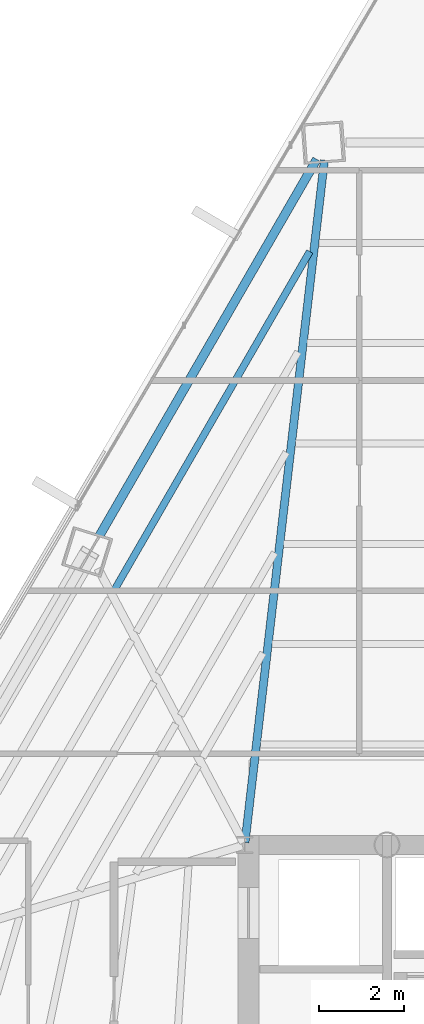
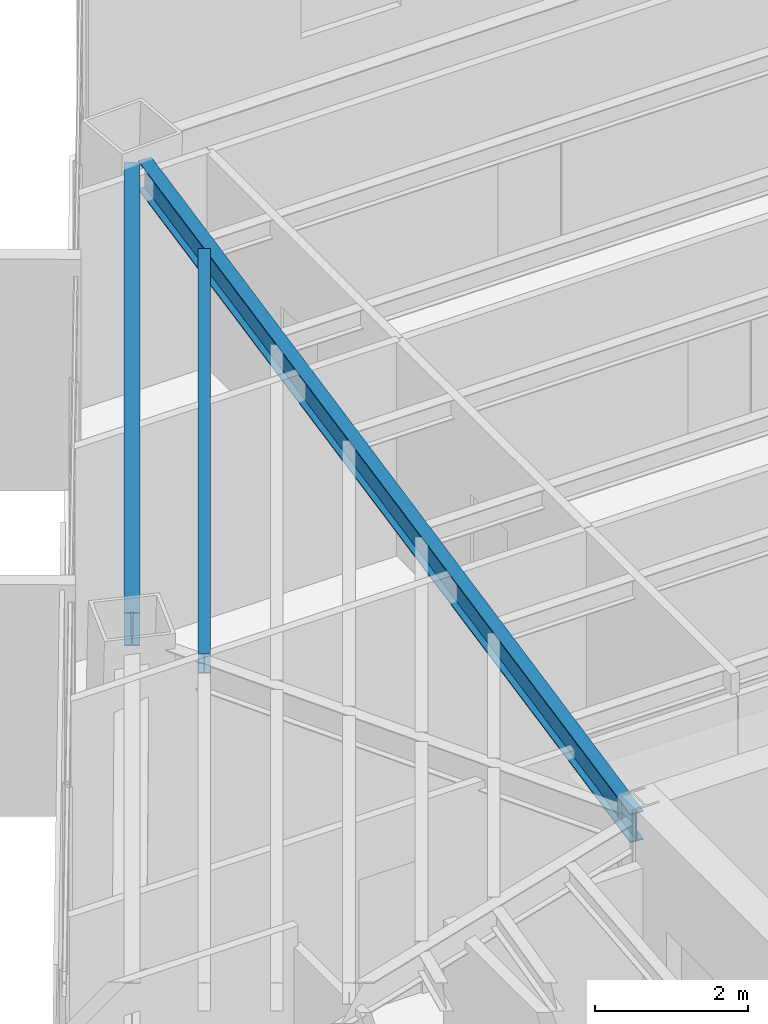
# One storey, part 27 of 41: 3 beams.
"""IFC4 building model written with IfcOpenShell, lengths in metres."""

from ifc_helpers import new_model, si_unit, direction, frame, origin, origin_2d, place, context, subcontext, project, spatial, i_section, extrude, source, transform, mapped, material, material_profile, profile_set, type_object, type_shapes, element, save


model = new_model("IFC4")

# Units and contexts
model_context = context("Model", 3, precision=1e-05, world=origin(), true_north=direction((0.0, 1.0)))
body_context = subcontext(model_context, "Body", "Model", "MODEL_VIEW")
ifc_project = project(units=[si_unit("LENGTHUNIT", "METRE"), si_unit("AREAUNIT", "SQUARE_METRE"), si_unit("VOLUMEUNIT", "CUBIC_METRE"), si_unit("PLANEANGLEUNIT", "RADIAN"), si_unit("MASSUNIT", "GRAM", prefix="KILO")], contexts=[model_context])

# Site, building, storey
site_placement = place(None, origin())
site = spatial("IfcSite", under=ifc_project, at=site_placement, CompositionType="ELEMENT")
building_placement = place(site_placement, origin())
building = spatial("IfcBuilding", under=site, at=building_placement, Name="Caelisora Broadcast Tower", CompositionType="ELEMENT")
storey_placement = place(building_placement, frame((0.0, 0.0, 180.39990234375)))
storey = spatial("IfcBuildingStorey", under=building, at=storey_placement, Name="L47", CompositionType="ELEMENT", Elevation=180.39990234375)

# Beams
ifc_material = material(Name="Steel Grade 350 (AS/NZS 3679.1)", Category="steel")
ifc_material_profile_1 = material_profile(ifc_material, i_section(OverallWidth=0.208984375, OverallDepth=0.532958984375, WebThickness=0.01025390625, FlangeThickness=0.015625, at=origin_2d()), Name="Steel Grade 350 (AS/NZS 3679.1)")
ifc_profile_set_1 = profile_set([ifc_material_profile_1], Name="Steel Grade 350 (AS/NZS 3679.1)")
beam_type_1 = type_object("IfcBeamType", Name="PG05", PredefinedType="BEAM", material=ifc_profile_set_1)
shared_shape_1 = source(origin(), body_context, "Body", "SweptSolid", [
    extrude(i_section(OverallWidth=0.208984375, OverallDepth=0.532958984375, WebThickness=0.01025390625, FlangeThickness=0.015625, at=origin_2d()), origin(), (0.0, 0.0, 1.0), 10.239501953125),
])
type_shapes(beam_type_1, [shared_shape_1])
beam_1_placement = place(storey_placement, frame((32.19580078125, 46.14892578125, 3.133544921875), z_axis=(-0.500008646395, -0.866020411728, 0.0), x_axis=(0.866020411728, -0.500008646395, 0.0)))
element("IfcBeam", 1, at=beam_1_placement, inside=storey, type_object=beam_type_1, Name="L47 beam PG05", PredefinedType="BEAM", context=body_context, shape_type="MappedRepresentation", body=[
    mapped(shared_shape_1, transform((0.0, 0.0, 0.0), scale=1.0)),
])
ifc_material_profile_2 = material_profile(ifc_material, i_section(OverallWidth=0.19091796875, OverallDepth=0.46044921875, WebThickness=0.010009765625, FlangeThickness=0.01611328125, at=origin_2d()), Name="Steel Grade 350 (AS/NZS 3679.1)")
ifc_profile_set_2 = profile_set([ifc_material_profile_2], Name="Steel Grade 350 (AS/NZS 3679.1)")
beam_type_2 = type_object("IfcBeamType", Name="PG06", PredefinedType="BEAM", material=ifc_profile_set_2)
shared_shape_2 = source(origin(), body_context, "Body", "SweptSolid", [
    extrude(i_section(OverallWidth=0.19091796875, OverallDepth=0.46044921875, WebThickness=0.010009765625, FlangeThickness=0.01611328125, at=origin_2d()), origin(), (0.0, 0.0, 1.0), 16.178955078125),
])
type_shapes(beam_type_2, [shared_shape_2])
beam_2_placement = place(storey_placement, frame((30.5068359375, 30.0595703125, 3.169921875), z_axis=(0.115604039252, 0.99329537707, 0.0), x_axis=(-0.99329537707, 0.115604039252, 0.0)))
element("IfcBeam", 2, at=beam_2_placement, inside=storey, type_object=beam_type_2, Name="L47 beam PG06", PredefinedType="BEAM", context=body_context, shape_type="MappedRepresentation", body=[
    mapped(shared_shape_2, transform((0.0, 0.0, 0.0), scale=1.0)),
])
ifc_material_profile_3 = material_profile(ifc_material, i_section(OverallWidth=0.166015625, OverallDepth=0.30712890625, WebThickness=0.006591796875, FlangeThickness=0.01171875, at=origin_2d()), Name="Steel Grade 350 (AS/NZS 3679.1)")
ifc_profile_set_3 = profile_set([ifc_material_profile_3], Name="Steel Grade 350 (AS/NZS 3679.1)")
beam_type_3 = type_object("IfcBeamType", Name="SB03", PredefinedType="JOIST", material=ifc_profile_set_3)
shared_shape_3 = source(origin(), body_context, "Body", "SweptSolid", [
    extrude(i_section(OverallWidth=0.166015625, OverallDepth=0.30712890625, WebThickness=0.006591796875, FlangeThickness=0.01171875, at=origin_2d()), origin(), (0.0, 0.0, 1.0), 9.218017578125),
])
type_shapes(beam_type_3, [shared_shape_3])
beam_3_placement = place(storey_placement, frame((32.03173828125, 43.9775390625, 3.24658203125), z_axis=(-0.499984576645, -0.86603430828, 0.0), x_axis=(0.86603430828, -0.499984576645, 0.0)))
element("IfcBeam", 3, at=beam_3_placement, inside=storey, type_object=beam_type_3, Name="L47 beam SB03", PredefinedType="JOIST", context=body_context, shape_type="MappedRepresentation", body=[
    mapped(shared_shape_3, transform((0.0, 0.0, 0.0), scale=1.0)),
])

save(model, "model.ifc")
